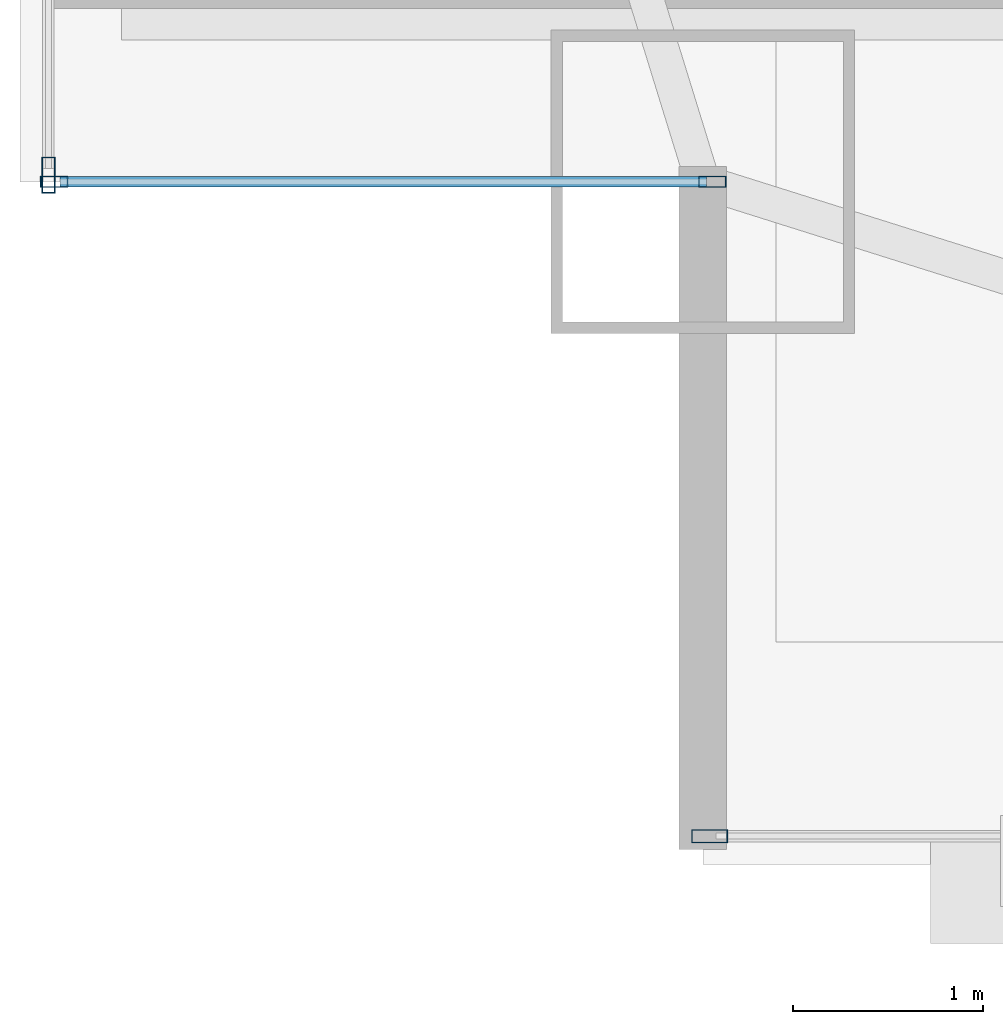
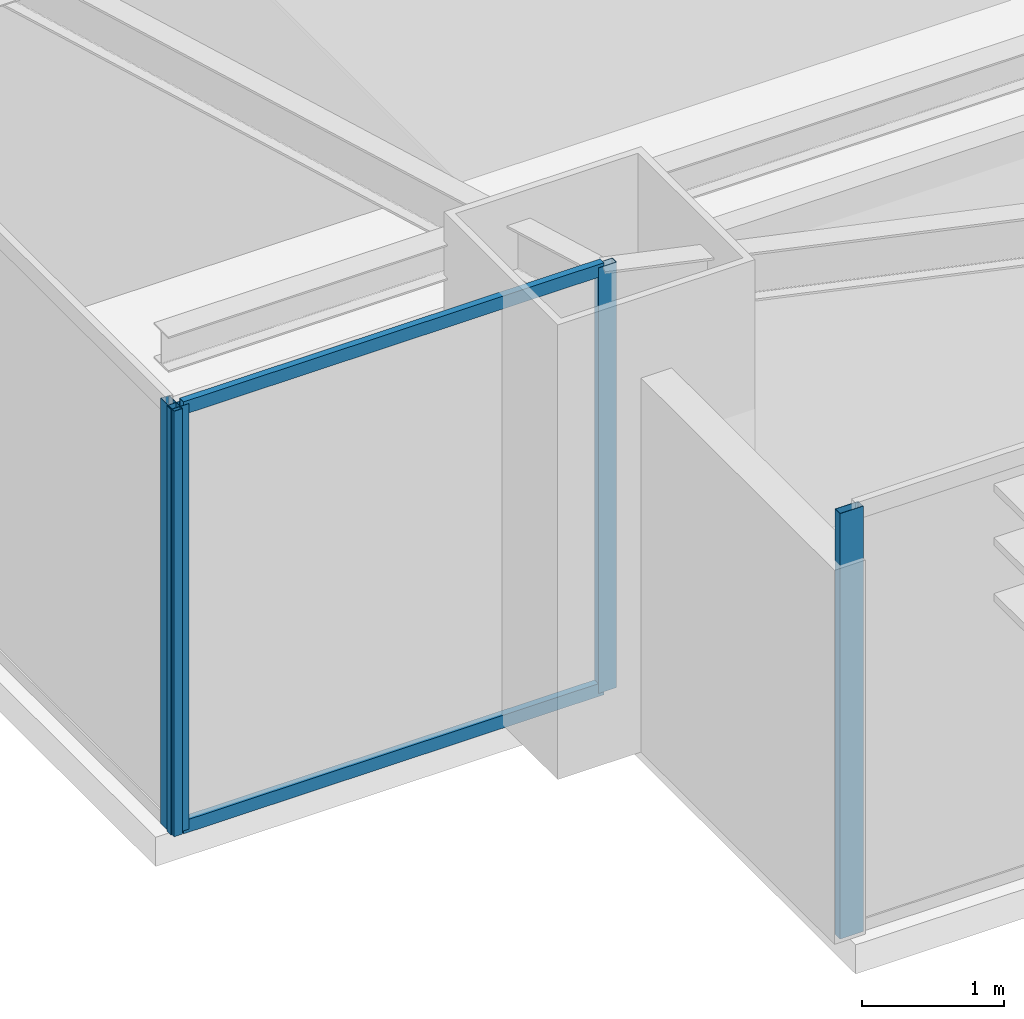
# One storey, part 3 of 31: 6 members, 3 elements without a shape of their own.
"""IFC4 building model written with IfcOpenShell, lengths in metres."""

from ifc_helpers import new_model, si_unit, direction, frame, origin, origin_2d, place, context, subcontext, project, spatial, hollow_rectangle, extrude, source, transform, mapped, material, layer, layer_set, material_profile, profile_set, type_object, type_shapes, element, aggregate, save


model = new_model("IFC4")

# Units and contexts
model_context = context("Model", 3, precision=1e-05, world=origin(), true_north=direction((0.0, 1.0)))
body_context = subcontext(model_context, "Body", "Model", "MODEL_VIEW")
ifc_project = project(units=[si_unit("LENGTHUNIT", "METRE"), si_unit("AREAUNIT", "SQUARE_METRE"), si_unit("VOLUMEUNIT", "CUBIC_METRE"), si_unit("PLANEANGLEUNIT", "RADIAN"), si_unit("MASSUNIT", "GRAM", prefix="KILO")], contexts=[model_context])

# Site, building, storey
site_placement = place(None, origin())
site = spatial("IfcSite", under=ifc_project, at=site_placement, CompositionType="ELEMENT")
building_placement = place(site_placement, origin())
building = spatial("IfcBuilding", under=site, at=building_placement, Name="Varnel Quay Broadcast Tower", CompositionType="ELEMENT")
storey_placement = place(building_placement, frame((0.0, 0.0, 39.300048828125)))
storey = spatial("IfcBuildingStorey", under=building, at=storey_placement, Name="L08", CompositionType="ELEMENT", Elevation=39.300048828125)

# Curtain wall, member
ifc_material = material(Name="Anodised Bronze Aluminium 6063-T6", Category="aluminium")
ifc_layer_1 = layer(ifc_material, 0.18994140625, Name="Anodised Bronze Aluminium 6063-T6")
ifc_layer_set_1 = layer_set([ifc_layer_1], Name="Anodised Bronze Aluminium 6063-T6")
curtain_wall_type_1 = type_object("IfcCurtainWallType", Name="CW_LowerTower", PredefinedType="NOTDEFINED", material=ifc_layer_set_1)
curtain_wall_1_placement = place(storey_placement, origin())
curtain_wall_1 = element("IfcCurtainWall", 1, at=curtain_wall_1_placement, inside=storey, type_object=curtain_wall_type_1, Name="L08 South Unitised Curtain Wall 1", PredefinedType="NOTDEFINED")
ifc_material_profile_1 = material_profile(ifc_material, hollow_rectangle(XDim=0.070068359375, YDim=0.18994140625, WallThickness=0.00390625, at=origin_2d()), Name="ALU70X190X4")
ifc_profile_set_1 = profile_set([ifc_material_profile_1], Name="Anodised Bronze Aluminium 6063-T6")
member_type_1 = type_object("IfcMemberType", Name="Mull_CWS-02", PredefinedType="MULLION", material=ifc_profile_set_1)
shared_shape_1 = source(origin(), body_context, "Body", "SweptSolid", [
    extrude(hollow_rectangle(XDim=0.070068359375, YDim=0.18994140625, WallThickness=0.00390625, at=origin_2d()), origin(), (0.0, 0.0, 1.0), 3.64990234375),
])
type_shapes(member_type_1, [shared_shape_1])
member_1_placement = place(storey_placement, frame((5.635009765625, 1.35009765625, 0.0), z_axis=(0.0, 0.0, 1.0), x_axis=(0.0, 1.0, 0.0)))
member_1 = element("IfcMember", 2, at=member_1_placement, type_object=member_type_1, Name="CWS-02 mullion 1", PredefinedType="MULLION", context=body_context, shape_type="MappedRepresentation", body=[
    mapped(shared_shape_1, transform((0.0, 0.0, 0.0), x_axis=(1.0, 0.0, 0.0), y_axis=(0.0, 1.0, 0.0), z_axis=(0.0, 0.0, 1.0), scale=1.0)),
])
aggregate(curtain_wall_1, [member_1])

curtain_wall_2_placement = place(storey_placement, origin())
curtain_wall_2 = element("IfcCurtainWall", 3, at=curtain_wall_2_placement, inside=storey, type_object=curtain_wall_type_1, Name="L08 West Unitised Curtain Wall", PredefinedType="NOTDEFINED")
member_2_placement = place(storey_placement, frame((2.14990234375, 4.8349609375, 0.0), z_axis=(0.0, 0.0, 1.0), x_axis=(-1.0, 0.0, 0.0)))
member_2 = element("IfcMember", 4, at=member_2_placement, type_object=member_type_1, Name="CWS-02 mullion 1", PredefinedType="MULLION", context=body_context, shape_type="MappedRepresentation", body=[
    mapped(shared_shape_1, transform((0.0, 0.0, 0.0), x_axis=(1.0, 0.0, 0.0), y_axis=(0.0, 1.0, 0.0), z_axis=(0.0, 0.0, 1.0), scale=1.0)),
])
aggregate(curtain_wall_2, [member_2])

# Curtain wall, members
ifc_layer_2 = layer(ifc_material, 0.18994140625, Name="Anodised Bronze Aluminium 6063-T6")
ifc_layer_set_2 = layer_set([ifc_layer_2], Name="Anodised Bronze Aluminium 6063-T6")
curtain_wall_type_2 = type_object("IfcCurtainWallType", Name="CW_NotchCorner", PredefinedType="NOTDEFINED", material=ifc_layer_set_2)
curtain_wall_3_placement = place(storey_placement, origin())
curtain_wall_3 = element("IfcCurtainWall", 5, at=curtain_wall_3_placement, inside=storey, type_object=curtain_wall_type_2, Name="L08 SW Notch Curtain Wall", PredefinedType="NOTDEFINED")
ifc_material_profile_2 = material_profile(ifc_material, hollow_rectangle(XDim=0.06005859375, YDim=0.14501953125, WallThickness=0.00341796875, at=origin_2d()), Name="ALU60X145X3.5")
ifc_profile_set_2 = profile_set([ifc_material_profile_2], Name="Anodised Bronze Aluminium 6063-T6")
member_type_2 = type_object("IfcMemberType", Name="Mull_CWS-04", PredefinedType="MULLION", material=ifc_profile_set_2)
shared_shape_2 = source(origin(), body_context, "Body", "SweptSolid", [
    extrude(hollow_rectangle(XDim=0.06005859375, YDim=0.14501953125, WallThickness=0.00341796875, at=origin_2d()), origin(), (0.0, 0.0, 1.0), 3.64990234375),
])
type_shapes(member_type_2, [shared_shape_2])
member_3_placement = place(storey_placement, frame((2.179931640625, 4.800048828125, 0.0), z_axis=(0.0, 0.0, 1.0), x_axis=(0.0, 1.0, 0.0)))
member_3 = element("IfcMember", 6, at=member_3_placement, type_object=member_type_2, Name="CWS-04 mullion 1", PredefinedType="MULLION", context=body_context, shape_type="MappedRepresentation", body=[
    mapped(shared_shape_2, transform((0.0, 0.0, 0.0), x_axis=(1.0, 0.0, 0.0), y_axis=(0.0, 1.0, 0.0), z_axis=(0.0, 0.0, 1.0), scale=1.0)),
])
member_4_placement = place(storey_placement, frame((5.64990234375, 4.800048828125, 0.0), z_axis=(0.0, 0.0, 1.0), x_axis=(0.0, 1.0, 0.0)))
member_4 = element("IfcMember", 7, at=member_4_placement, type_object=member_type_2, Name="CWS-04 mullion 2", PredefinedType="MULLION", context=body_context, shape_type="MappedRepresentation", body=[
    mapped(shared_shape_2, transform((0.0, 0.0, 0.0), x_axis=(1.0, 0.0, 0.0), y_axis=(0.0, 1.0, 0.0), z_axis=(0.0, 0.0, 1.0), scale=1.0)),
])
ifc_material_profile_3 = material_profile(ifc_material, hollow_rectangle(XDim=0.054931640625, YDim=0.110107421875, WallThickness=0.0029296875, at=origin_2d()), Name="ALU55X110X3")
ifc_profile_set_3 = profile_set([ifc_material_profile_3], Name="Anodised Bronze Aluminium 6063-T6")
member_type_3 = type_object("IfcMemberType", Name="Tran_CWS-04", PredefinedType="USERDEFINED", material=ifc_profile_set_3)
shared_shape_3 = source(origin(), body_context, "Body", "SweptSolid", [
    extrude(hollow_rectangle(XDim=0.054931640625, YDim=0.110107421875, WallThickness=0.0029296875, at=origin_2d()), origin(), (0.0, 0.0, 1.0), 3.41015625),
])
type_shapes(member_type_3, [shared_shape_3])
member_5_placement = place(storey_placement, frame((2.2099609375, 4.800048828125, 0.02734375), z_axis=(1.0, 0.0, 0.0), x_axis=(0.0, 1.0, 0.0)))
member_5 = element("IfcMember", 8, at=member_5_placement, type_object=member_type_3, Name="CWS-04 transom 1.1", ObjectType="TRANSOM", PredefinedType="USERDEFINED", context=body_context, shape_type="MappedRepresentation", body=[
    mapped(shared_shape_3, transform((0.0, 0.0, 0.0), x_axis=(1.0, 0.0, 0.0), y_axis=(0.0, 1.0, 0.0), z_axis=(0.0, 0.0, 1.0), scale=1.0)),
])
member_6_placement = place(storey_placement, frame((2.2099609375, 4.800048828125, 3.62255859375), z_axis=(1.0, 0.0, 0.0), x_axis=(0.0, 1.0, 0.0)))
member_6 = element("IfcMember", 9, at=member_6_placement, type_object=member_type_3, Name="CWS-04 transom 1.2", ObjectType="TRANSOM", PredefinedType="USERDEFINED", context=body_context, shape_type="MappedRepresentation", body=[
    mapped(shared_shape_3, transform((0.0, 0.0, 0.0), x_axis=(1.0, 0.0, 0.0), y_axis=(0.0, 1.0, 0.0), z_axis=(0.0, 0.0, 1.0), scale=1.0)),
])
aggregate(curtain_wall_3, [member_3, member_4, member_5, member_6])

save(model, "model.ifc")
